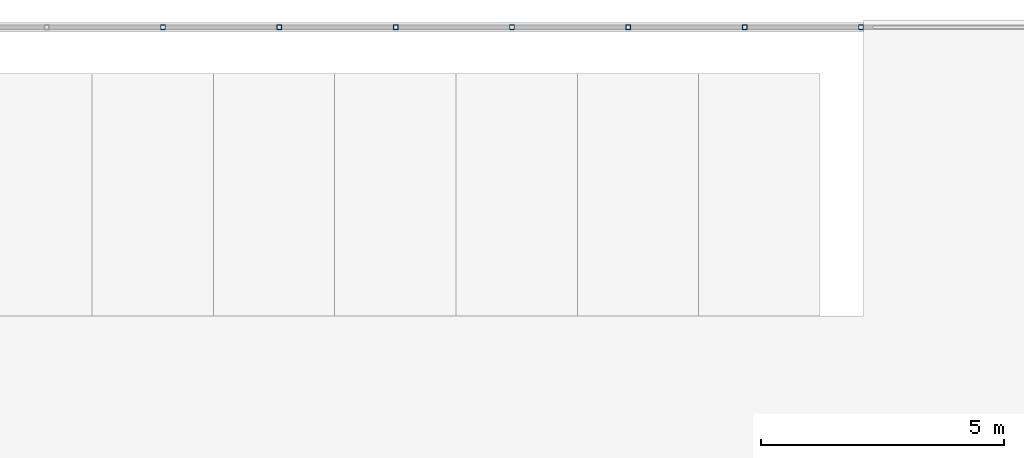
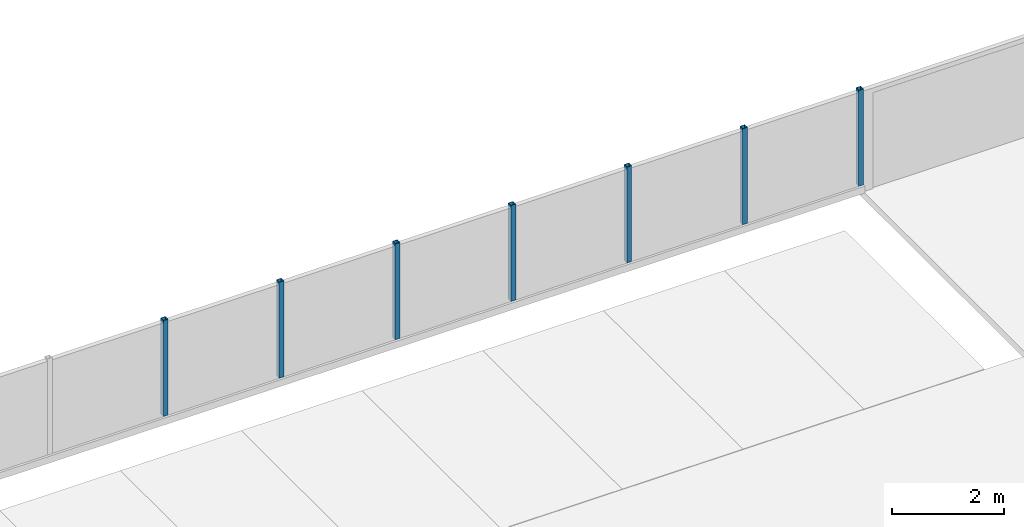
# One storey, part 32 of 129: 7 members.
"""IFC4 building model written with IfcOpenShell, lengths in metres."""

from ifc_helpers import new_model, si_unit, direction, frame, origin, origin_2d, place, context, subcontext, project, spatial, hollow_rectangle, extrude, material, material_profile, profile_set, type_object, element, save


model = new_model("IFC4")

# Units and contexts
model_context = context("Model", 3, precision=1e-05, world=origin(), true_north=direction((0.0, 1.0)))
body_context = subcontext(model_context, "Body", "Model", "MODEL_VIEW")
ifc_project = project(units=[si_unit("LENGTHUNIT", "METRE"), si_unit("AREAUNIT", "SQUARE_METRE"), si_unit("VOLUMEUNIT", "CUBIC_METRE"), si_unit("PLANEANGLEUNIT", "RADIAN"), si_unit("MASSUNIT", "GRAM", prefix="KILO")], contexts=[model_context])

# Site, building, storey
site_placement = place(None, origin())
site = spatial("IfcSite", under=ifc_project, at=site_placement, CompositionType="ELEMENT")
building_placement = place(site_placement, origin())
building = spatial("IfcBuilding", under=site, at=building_placement, Name="Kiln Court Media Centre", CompositionType="ELEMENT")
storey_placement = place(building_placement, origin())
storey = spatial("IfcBuildingStorey", under=building, at=storey_placement, Name="L00", CompositionType="ELEMENT", Elevation=0.0)

# Members
ifc_material = material(Name="Steel ASTM A500 Gr C", Category="steel")
ifc_material_profile = material_profile(ifc_material, hollow_rectangle(XDim=0.10009765625, YDim=0.10009765625, WallThickness=0.00634765625, at=origin_2d()), Name="SHS 100x100x6.3")
ifc_profile_set = profile_set([ifc_material_profile], Name="Steel ASTM A500 Gr C")
member_type = type_object("IfcMemberType", Name="Steel ASTM A500 Gr C fence post SHS 100x100x6.3", PredefinedType="USERDEFINED", material=ifc_profile_set)
for number, where, z_axis, x_axis, name in (
    (1, (148.75927734375, 87.85009765625, -1.050048828125), (0.0, 0.0, 1.0), (1.0, 0.0, 0.0), "Fence post 61"),
    (2, (151.15771484375, 87.85009765625, -1.050048828125), (0.0, 0.0, 1.0), (1.0, 0.0, 0.0), "Fence post 62"),
    (3, (153.55615234375, 87.85009765625, -1.050048828125), (0.0, 0.0, 1.0), (1.0, 0.0, 0.0), "Fence post 63"),
    (4, (155.95458984375, 87.85009765625, -1.050048828125), (0.0, 0.0, 1.0), (1.0, 0.0, 0.0), "Fence post 64"),
    (5, (158.353271484375, 87.85009765625, -1.050048828125), (0.0, 0.0, 1.0), (1.0, 0.0, 0.0), "Fence post 65"),
    (6, (160.751708984375, 87.85009765625, -1.050048828125), (0.0, 0.0, 1.0), (1.0, 0.0, 0.0), "Fence post 66"),
    (7, (163.150146484375, 87.85009765625, -1.050048828125), (0.0, 0.0, 1.0), (1.0, 0.0, 0.0), "Fence post 67"),
):
    element("IfcMember", number, at=place(storey_placement, frame(where, z_axis=z_axis, x_axis=x_axis)), inside=storey, type_object=member_type, Name=name, ObjectType="FENCE POST", PredefinedType="USERDEFINED", context=body_context, shape_type="SweptSolid", body=[
        extrude(hollow_rectangle(XDim=0.10009765625, YDim=0.10009765625, WallThickness=0.00634765625, at=origin_2d()), origin(), (0.0, 0.0, 1.0), 2.10009765625),
    ])

save(model, "model.ifc")
